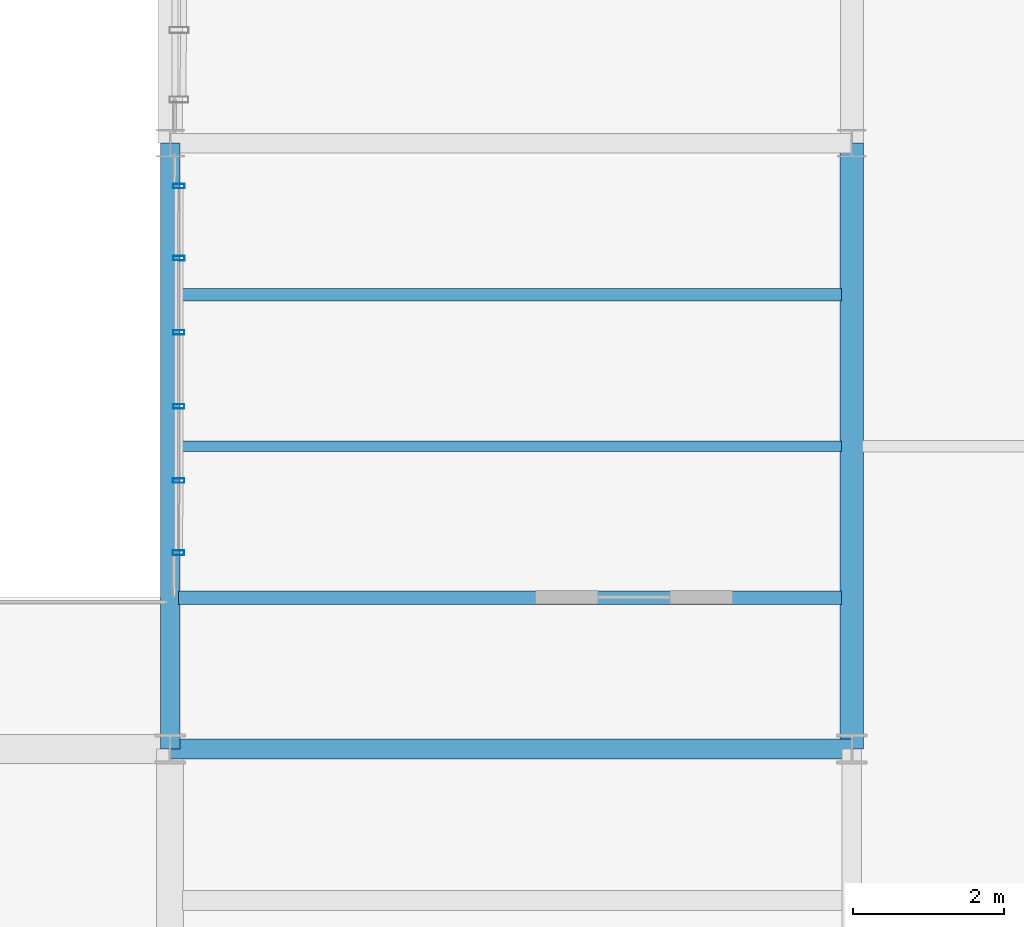
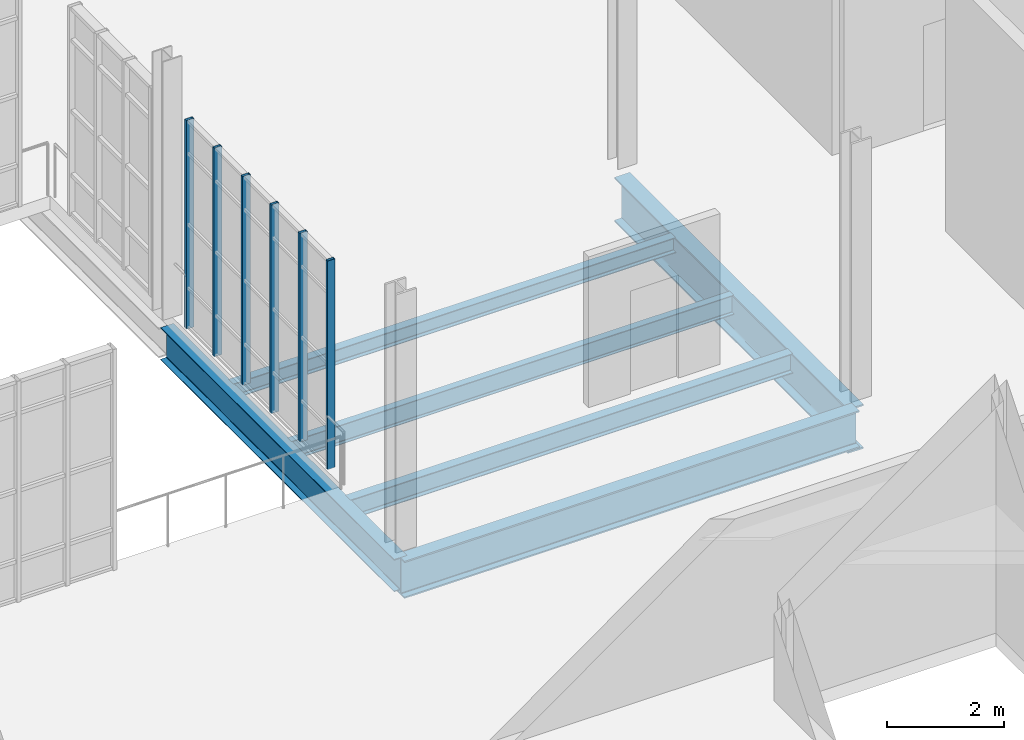
# One storey, part 40 of 142: 6 beams, 6 members, 1 element without a shape of its own.
"""IFC4 building model written with IfcOpenShell, lengths in metres."""

from ifc_helpers import new_model, si_unit, direction, frame, origin, origin_2d, place, context, subcontext, project, spatial, hollow_rectangle, i_section, extrude, material, layer, layer_set, material_profile, profile_set, type_object, element, aggregate, save


model = new_model("IFC4")

# Units and contexts
model_context = context("Model", 3, precision=1e-05, world=origin(), true_north=direction((0.0, 1.0)))
body_context = subcontext(model_context, "Body", "Model", "MODEL_VIEW")
ifc_project = project(units=[si_unit("LENGTHUNIT", "METRE"), si_unit("AREAUNIT", "SQUARE_METRE"), si_unit("VOLUMEUNIT", "CUBIC_METRE"), si_unit("PLANEANGLEUNIT", "RADIAN"), si_unit("MASSUNIT", "GRAM", prefix="KILO"), si_unit("THERMODYNAMICTEMPERATUREUNIT", "KELVIN"), si_unit("POWERUNIT", "WATT")], contexts=[model_context])

# Site, building, storey
site_placement = place(None, origin())
site = spatial("IfcSite", under=ifc_project, at=site_placement, CompositionType="ELEMENT")
building_placement = place(site_placement, origin())
building = spatial("IfcBuilding", under=site, at=building_placement, Name="Zelmaris Science Centre", CompositionType="ELEMENT")
storey_placement = place(building_placement, frame((0.0, 0.0, 5.39990234375)))
storey = spatial("IfcBuildingStorey", under=building, at=storey_placement, Name="L01", CompositionType="ELEMENT", Elevation=5.39990234375)

# Curtain wall, members
ifc_material_1 = material(Name="Anodised architectural aluminium 6063-T6", Category="aluminium")
ifc_layer = layer(ifc_material_1, 0.219970703125, Name="Anodised architectural aluminium 6063-T6")
ifc_layer_set = layer_set([ifc_layer], Name="Anodised architectural aluminium 6063-T6")
curtain_wall_type = type_object("IfcCurtainWallType", Name="Curtain Wall CW-04", PredefinedType="USERDEFINED", material=ifc_layer_set)
curtain_wall_placement = place(storey_placement, origin())
curtain_wall = element("IfcCurtainWall", 1, at=curtain_wall_placement, inside=storey, type_object=curtain_wall_type, Name="L01 Unitised curtain wall 180", ObjectType="GLAZED CURTAIN WALL", PredefinedType="USERDEFINED")
ifc_material_profile_1 = material_profile(ifc_material_1, hollow_rectangle(XDim=0.06005859375, YDim=0.14990234375, WallThickness=0.00341796875, at=origin_2d()), Name="ALU-MUL-60X150")
ifc_profile_set_1 = profile_set([ifc_material_profile_1], Name="Anodised architectural aluminium 6063-T6")
member_type = type_object("IfcMemberType", Name="ALU-MUL-60X150", PredefinedType="MULLION", material=ifc_profile_set_1)
member_1_placement = place(storey_placement, frame((117.1103515625, 34.592529296875, -0.014892578125), z_axis=(0.0, 0.0, 1.0), x_axis=(0.001019272107, 0.999999480542, 0.0)))
member_1 = element("IfcMember", 2, at=member_1_placement, type_object=member_type, Name="CW-04 mullion 1", PredefinedType="MULLION", context=body_context, shape_type="SweptSolid", body=[
    extrude(hollow_rectangle(XDim=0.06005859375, YDim=0.14990234375, WallThickness=0.00341796875, at=origin_2d()), origin(), (0.0, 0.0, 1.0), 4.363037109375),
])
member_2_placement = place(storey_placement, frame((117.111328125, 35.545166015625, -0.014892578125), z_axis=(0.0, 0.0, 1.0), x_axis=(0.001019272107, 0.999999480542, 0.0)))
member_2 = element("IfcMember", 3, at=member_2_placement, type_object=member_type, Name="CW-04 mullion 2", PredefinedType="MULLION", context=body_context, shape_type="SweptSolid", body=[
    extrude(hollow_rectangle(XDim=0.06005859375, YDim=0.14990234375, WallThickness=0.00341796875, at=origin_2d()), origin(), (0.0, 0.0, 1.0), 4.363037109375),
])
member_3_placement = place(storey_placement, frame((117.1123046875, 36.52392578125, -0.014892578125), z_axis=(0.0, 0.0, 1.0), x_axis=(0.001019272107, 0.999999480542, 0.0)))
member_3 = element("IfcMember", 4, at=member_3_placement, type_object=member_type, Name="CW-04 mullion 3", PredefinedType="MULLION", context=body_context, shape_type="SweptSolid", body=[
    extrude(hollow_rectangle(XDim=0.06005859375, YDim=0.14990234375, WallThickness=0.00341796875, at=origin_2d()), origin(), (0.0, 0.0, 1.0), 4.363037109375),
])
member_4_placement = place(storey_placement, frame((117.11328125, 37.502685546875, -0.014892578125), z_axis=(0.0, 0.0, 1.0), x_axis=(0.001019272107, 0.999999480542, 0.0)))
member_4 = element("IfcMember", 5, at=member_4_placement, type_object=member_type, Name="CW-04 mullion 4", PredefinedType="MULLION", context=body_context, shape_type="SweptSolid", body=[
    extrude(hollow_rectangle(XDim=0.06005859375, YDim=0.14990234375, WallThickness=0.00341796875, at=origin_2d()), origin(), (0.0, 0.0, 1.0), 4.363037109375),
])
member_5_placement = place(storey_placement, frame((117.114501953125, 38.481201171875, -0.014892578125), z_axis=(0.0, 0.0, 1.0), x_axis=(0.001019272107, 0.999999480542, 0.0)))
member_5 = element("IfcMember", 6, at=member_5_placement, type_object=member_type, Name="CW-04 mullion 5", PredefinedType="MULLION", context=body_context, shape_type="SweptSolid", body=[
    extrude(hollow_rectangle(XDim=0.06005859375, YDim=0.14990234375, WallThickness=0.00341796875, at=origin_2d()), origin(), (0.0, 0.0, 1.0), 4.363037109375),
])
member_6_placement = place(storey_placement, frame((117.115478515625, 39.433837890625, -0.014892578125), z_axis=(0.0, 0.0, 1.0), x_axis=(0.001019272107, 0.999999480542, 0.0)))
member_6 = element("IfcMember", 7, at=member_6_placement, type_object=member_type, Name="CW-04 mullion 6", PredefinedType="MULLION", context=body_context, shape_type="SweptSolid", body=[
    extrude(hollow_rectangle(XDim=0.06005859375, YDim=0.14990234375, WallThickness=0.00341796875, at=origin_2d()), origin(), (0.0, 0.0, 1.0), 4.363037109375),
])
aggregate(curtain_wall, [member_1, member_2, member_3, member_4, member_5, member_6])

# Beams
ifc_material_2 = material(Name="Steel ASTM A992 Grade 50", Category="steel")
ifc_material_profile_2 = material_profile(ifc_material_2, i_section(OverallWidth=0.306884765625, OverallDepth=0.927001953125, WebThickness=0.019287109375, FlangeThickness=0.031982421875, FilletRadius=0.02392578125, at=origin_2d()), Name="W36X194")
ifc_profile_set_2 = profile_set([ifc_material_profile_2], Name="Steel ASTM A992 Grade 50")
beam_type_1 = type_object("IfcBeamType", Name="Beam G-03 W36X194", PredefinedType="BEAM", material=ifc_profile_set_2)
beam_1_placement = place(storey_placement, frame((126.0, 32.0, -0.743408203125), z_axis=(0.0, 1.0, 0.0), x_axis=(-1.0, 0.0, 0.0)))
element("IfcBeam", 8, at=beam_1_placement, inside=storey, type_object=beam_type_1, Name="L01 North-south girder 310", PredefinedType="BEAM", context=body_context, shape_type="SweptSolid", body=[
    extrude(i_section(OverallWidth=0.306884765625, OverallDepth=0.927001953125, WebThickness=0.019287109375, FlangeThickness=0.031982421875, FilletRadius=0.02392578125, at=origin_2d()), origin(), (0.0, 0.0, 1.0), 8.0),
])
ifc_material_profile_3 = material_profile(ifc_material_2, i_section(OverallWidth=0.26708984375, OverallDepth=0.780029296875, WebThickness=0.0166015625, FlangeThickness=0.030029296875, FilletRadius=0.01904296875, at=origin_2d()), Name="W30X148")
ifc_profile_set_3 = profile_set([ifc_material_profile_3], Name="Steel ASTM A992 Grade 50")
beam_type_2 = type_object("IfcBeamType", Name="Beam G-32 W30X148", PredefinedType="BEAM", material=ifc_profile_set_3)
beam_2_placement = place(storey_placement, frame((117.0, 32.0, -0.669921875), z_axis=(1.0, 0.0, 0.0), x_axis=(0.0, 1.0, 0.0)))
element("IfcBeam", 9, at=beam_2_placement, inside=storey, type_object=beam_type_2, Name="L01 East-west girder 362", PredefinedType="BEAM", context=body_context, shape_type="SweptSolid", body=[
    extrude(i_section(OverallWidth=0.26708984375, OverallDepth=0.780029296875, WebThickness=0.0166015625, FlangeThickness=0.030029296875, FilletRadius=0.01904296875, at=origin_2d()), origin(), (0.0, 0.0, 1.0), 9.0),
])
ifc_material_profile_4 = material_profile(ifc_material_2, i_section(OverallWidth=0.25390625, OverallDepth=0.677978515625, WebThickness=0.01171875, FlangeThickness=0.016357421875, FilletRadius=0.01806640625, at=origin_2d()), Name="W27X84")
ifc_profile_set_4 = profile_set([ifc_material_profile_4], Name="Steel ASTM A992 Grade 50")
beam_type_3 = type_object("IfcBeamType", Name="Beam G-36 W27X84", PredefinedType="BEAM", material=ifc_profile_set_4)
beam_3_placement = place(storey_placement, frame((117.0, 32.0, -0.618896484375), z_axis=(0.0, 1.0, 0.0), x_axis=(-1.0, 0.0, 0.0)))
element("IfcBeam", 10, at=beam_3_placement, inside=storey, type_object=beam_type_3, Name="L01 North-south girder 304", PredefinedType="BEAM", context=body_context, shape_type="SweptSolid", body=[
    extrude(i_section(OverallWidth=0.25390625, OverallDepth=0.677978515625, WebThickness=0.01171875, FlangeThickness=0.016357421875, FilletRadius=0.01806640625, at=origin_2d()), origin(), (0.0, 0.0, 1.0), 8.0),
])
ifc_material_profile_5 = material_profile(ifc_material_2, i_section(OverallWidth=0.177978515625, OverallDepth=0.408935546875, WebThickness=0.0087890625, FlangeThickness=0.014404296875, FilletRadius=0.011962890625, at=origin_2d()), Name="W16X45")
ifc_profile_set_5 = profile_set([ifc_material_profile_5], Name="Steel ASTM A992 Grade 50")
beam_type_4 = type_object("IfcBeamType", Name="Beam J-07 W16X45", PredefinedType="JOIST", material=ifc_profile_set_5)
beam_4_placement = place(storey_placement, frame((117.112060546875, 34.0, -0.484375), z_axis=(1.0, 0.0, 0.0), x_axis=(0.0, 1.0, 0.0)))
element("IfcBeam", 11, at=beam_4_placement, inside=storey, type_object=beam_type_4, Name="L01 Composite floor joist 177", PredefinedType="JOIST", context=body_context, shape_type="SweptSolid", body=[
    extrude(i_section(OverallWidth=0.177978515625, OverallDepth=0.408935546875, WebThickness=0.0087890625, FlangeThickness=0.014404296875, FilletRadius=0.011962890625, at=origin_2d()), origin(), (0.0, 0.0, 1.0), 8.74951171875),
])
ifc_material_profile_6 = material_profile(ifc_material_2, i_section(OverallWidth=0.139892578125, OverallDepth=0.404052734375, WebThickness=0.007080078125, FlangeThickness=0.01123046875, FilletRadius=0.011962890625, at=origin_2d()), Name="W16X31")
ifc_profile_set_6 = profile_set([ifc_material_profile_6], Name="Steel ASTM A992 Grade 50")
beam_type_5 = type_object("IfcBeamType", Name="Beam J-08 W16X31", PredefinedType="JOIST", material=ifc_profile_set_6)
beam_5_placement = place(storey_placement, frame((117.112060546875, 36.0, -0.48193359375), z_axis=(1.0, 0.0, 0.0), x_axis=(0.0, 1.0, 0.0)))
element("IfcBeam", 12, at=beam_5_placement, inside=storey, type_object=beam_type_5, Name="L01 Composite floor joist 178", PredefinedType="JOIST", context=body_context, shape_type="SweptSolid", body=[
    extrude(i_section(OverallWidth=0.139892578125, OverallDepth=0.404052734375, WebThickness=0.007080078125, FlangeThickness=0.01123046875, FilletRadius=0.011962890625, at=origin_2d()), origin(), (0.0, 0.0, 1.0), 8.74951171875),
])
ifc_material_profile_7 = material_profile(ifc_material_2, i_section(OverallWidth=0.1669921875, OverallDepth=0.318115234375, WebThickness=0.007568359375, FlangeThickness=0.01318359375, FilletRadius=0.011962890625, at=origin_2d()), Name="W12X35")
ifc_profile_set_7 = profile_set([ifc_material_profile_7], Name="Steel ASTM A992 Grade 50")
beam_type_6 = type_object("IfcBeamType", Name="Beam J-09 W12X35", PredefinedType="JOIST", material=ifc_profile_set_7)
beam_6_placement = place(storey_placement, frame((117.112060546875, 38.0, -0.43896484375), z_axis=(1.0, 0.0, 0.0), x_axis=(0.0, 1.0, 0.0)))
element("IfcBeam", 13, at=beam_6_placement, inside=storey, type_object=beam_type_6, Name="L01 Composite floor joist 179", PredefinedType="JOIST", context=body_context, shape_type="SweptSolid", body=[
    extrude(i_section(OverallWidth=0.1669921875, OverallDepth=0.318115234375, WebThickness=0.007568359375, FlangeThickness=0.01318359375, FilletRadius=0.011962890625, at=origin_2d()), origin(), (0.0, 0.0, 1.0), 8.74951171875),
])

save(model, "model.ifc")
